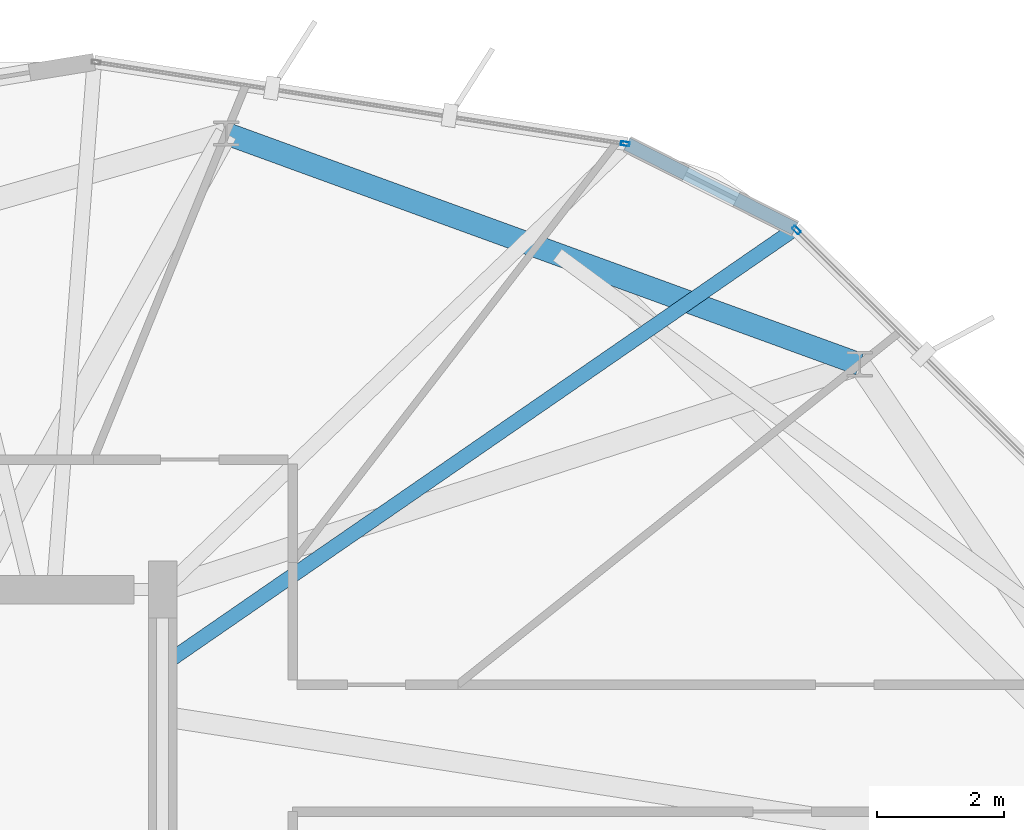
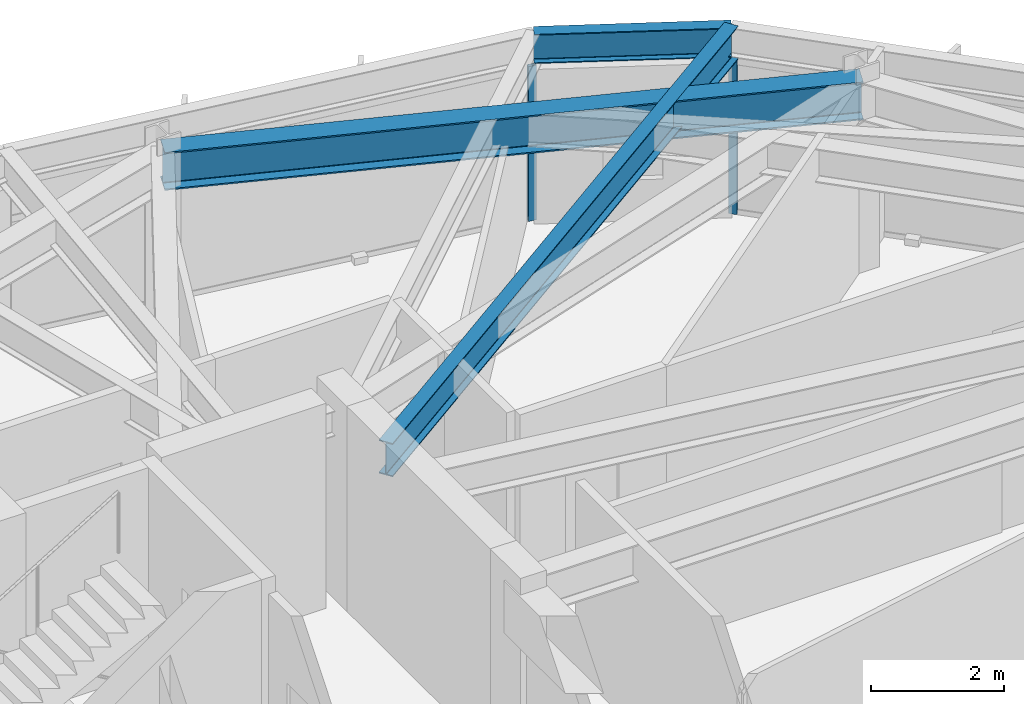
# One storey, part 15 of 22: 3 beams, 2 members, 2 elements without a shape of their own.
"""IFC4 building model written with IfcOpenShell, lengths in metres."""

from ifc_helpers import new_model, si_unit, direction, frame, origin, origin_2d, place, context, subcontext, project, spatial, hollow_rectangle, i_section, extrude, material, layer, layer_set, material_profile, profile_set, type_object, element, aggregate, save


model = new_model("IFC4")

# Units and contexts
model_context = context("Model", 3, precision=1e-05, world=origin(), true_north=direction((0.0, 1.0)))
body_context = subcontext(model_context, "Body", "Model", "MODEL_VIEW")
ifc_project = project(units=[si_unit("LENGTHUNIT", "METRE"), si_unit("AREAUNIT", "SQUARE_METRE"), si_unit("VOLUMEUNIT", "CUBIC_METRE"), si_unit("PLANEANGLEUNIT", "RADIAN"), si_unit("MASSUNIT", "GRAM", prefix="KILO")], contexts=[model_context])

# Site, building, storey
site_placement = place(None, origin())
site = spatial("IfcSite", under=ifc_project, at=site_placement, CompositionType="ELEMENT")
building_placement = place(site_placement, origin())
building = spatial("IfcBuilding", under=site, at=building_placement, Name="Soratama Intermodal Tower", CompositionType="ELEMENT")
storey_placement = place(building_placement, frame((0.0, 0.0, 265.0)))
storey = spatial("IfcBuildingStorey", under=building, at=storey_placement, Name="L67", CompositionType="ELEMENT", Elevation=265.0)

# Beams
ifc_material_1 = material(Name="Structural steel ASTM A992 Grade 50", Category="steel")
ifc_material_profile_1 = material_profile(ifc_material_1, i_section(OverallWidth=0.35498046875, OverallDepth=0.695068359375, WebThickness=0.015380859375, FlangeThickness=0.02490234375, FilletRadius=0.01611328125, at=origin_2d()), Name="W27X146")
ifc_profile_set_1 = profile_set([ifc_material_profile_1], Name="Structural steel ASTM A992 Grade 50")
beam_type_1 = type_object("IfcBeamType", Name="BM-RING-W27X146", PredefinedType="BEAM", material=ifc_profile_set_1)
beam_1_placement = place(storey_placement, frame((55.589111328125, 38.553955078125, 3.1025390625), z_axis=(-0.939684073866, 0.342043624883, 0.0), x_axis=(-0.342043624883, -0.939684073866, 0.0)))
element("IfcBeam", 1, at=beam_1_placement, inside=storey, type_object=beam_type_1, Name="BM-L67-RING-02", PredefinedType="BEAM", context=body_context, shape_type="SweptSolid", body=[
    extrude(i_section(OverallWidth=0.35498046875, OverallDepth=0.695068359375, WebThickness=0.015380859375, FlangeThickness=0.02490234375, FilletRadius=0.01611328125, at=origin_2d()), origin(), (0.0, 0.0, 1.0), 10.630126953125),
])
ifc_material_2 = material(Name="Structural steel ASTM A992 Grade 50", Category="steel")
ifc_material_profile_2 = material_profile(ifc_material_2, i_section(OverallWidth=0.2099609375, OverallDepth=0.537109375, WebThickness=0.010986328125, FlangeThickness=0.017333984375, FilletRadius=0.012939453125, at=origin_2d()), Name="W21X68")
ifc_profile_set_2 = profile_set([ifc_material_profile_2], Name="Structural steel ASTM A992 Grade 50")
beam_type_2 = type_object("IfcBeamType", Name="BM-SPN-W21X68", PredefinedType="SPANDREL", material=ifc_profile_set_2)
beam_2_placement = place(storey_placement, frame((54.572021484375, 40.68798828125, 3.181396484375), z_axis=(-0.892874737979, 0.450305121311, 0.0), x_axis=(-0.450305121311, -0.892874737979, 0.0)))
element("IfcBeam", 2, at=beam_2_placement, inside=storey, type_object=beam_type_2, Name="BS-L67-CRN10", PredefinedType="SPANDREL", context=body_context, shape_type="SweptSolid", body=[
    extrude(i_section(OverallWidth=0.2099609375, OverallDepth=0.537109375, WebThickness=0.010986328125, FlangeThickness=0.017333984375, FilletRadius=0.012939453125, at=origin_2d()), origin(), (0.0, 0.0, 1.0), 2.966796875),
])
ifc_material_3 = material(Name="Structural steel ASTM A992 Grade 50", Category="steel")
ifc_material_profile_3 = material_profile(ifc_material_3, i_section(OverallWidth=0.22900390625, OverallDepth=0.612060546875, WebThickness=0.011962890625, FlangeThickness=0.01953125, FilletRadius=0.012939453125, at=origin_2d()), Name="W24X84")
ifc_profile_set_3 = profile_set([ifc_material_profile_3], Name="Structural steel ASTM A992 Grade 50")
beam_type_3 = type_object("IfcBeamType", Name="BM-TIE-W24X84", PredefinedType="BEAM", material=ifc_profile_set_3)
beam_3_placement = place(storey_placement, frame((44.633056640625, 33.8291015625, 3.14404296875), z_axis=(0.823041366678, 0.567981433443, 0.0), x_axis=(-0.567981433443, 0.823041366678, 0.0)))
element("IfcBeam", 3, at=beam_3_placement, inside=storey, type_object=beam_type_3, Name="BM-L67-TIE1-10", PredefinedType="BEAM", context=body_context, shape_type="SweptSolid", body=[
    extrude(i_section(OverallWidth=0.22900390625, OverallDepth=0.612060546875, WebThickness=0.011962890625, FlangeThickness=0.01953125, FilletRadius=0.012939453125, at=origin_2d()), origin(), (0.0, 0.0, 1.0), 12.075927734375),
])

# Curtain wall, member
ifc_material_4 = material(Name="Double-glazed aluminium curtain wall", Category="aluminium")
ifc_layer = layer(ifc_material_4, 0.159912109375)
ifc_layer_set = layer_set([ifc_layer], Name="Double-glazed aluminium curtain wall")
curtain_wall_type = type_object("IfcCurtainWallType", Name="CW-SYS-5", PredefinedType="NOTDEFINED", material=ifc_layer_set)
curtain_wall_1_placement = place(storey_placement, origin())
curtain_wall_1 = element("IfcCurtainWall", 4, at=curtain_wall_1_placement, inside=storey, type_object=curtain_wall_type, Name="L67 Faceted Curtain Wall F01", PredefinedType="NOTDEFINED")
ifc_material_5 = material(Name="Anodised aluminium AA 6063-T6", Category="aluminium")
ifc_material_profile_4 = material_profile(ifc_material_5, hollow_rectangle(XDim=0.06494140625, YDim=0.139892578125, WallThickness=0.0048828125, InnerFilletRadius=0.0048828125, OuterFilletRadius=0.010009765625, at=origin_2d()), Name="CWM140X65X5")
ifc_profile_set_4 = profile_set([ifc_material_profile_4], Name="Anodised aluminium AA 6063-T6")
member_type = type_object("IfcMemberType", Name="MT-CWM-5", PredefinedType="MULLION", material=ifc_profile_set_4)
member_1_placement = place(storey_placement, frame((51.893798828125, 42.028564453125, 0.0), z_axis=(0.0, 0.0, 1.0), x_axis=(-0.152296762317, -0.988334809762, 0.0)))
member_1 = element("IfcMember", 5, at=member_1_placement, type_object=member_type, Name="CW-5 mullion 1", PredefinedType="MULLION", context=body_context, shape_type="SweptSolid", body=[
    extrude(hollow_rectangle(XDim=0.06494140625, YDim=0.139892578125, WallThickness=0.0048828125, InnerFilletRadius=0.0048828125, OuterFilletRadius=0.010009765625, at=origin_2d()), origin(), (0.0, 0.0, 1.0), 2.8291015625),
])
aggregate(curtain_wall_1, [member_1])

curtain_wall_2_placement = place(storey_placement, origin())
curtain_wall_2 = element("IfcCurtainWall", 6, at=curtain_wall_2_placement, inside=storey, type_object=curtain_wall_type, Name="L67 Faceted Curtain Wall F10", PredefinedType="NOTDEFINED")
member_2_placement = place(storey_placement, frame((54.593505859375, 40.667236328125, 0.0), z_axis=(0.0, 0.0, 1.0), x_axis=(-0.704135783486, -0.710065347989, 0.0)))
member_2 = element("IfcMember", 7, at=member_2_placement, type_object=member_type, Name="CW-5 mullion 2", PredefinedType="MULLION", context=body_context, shape_type="SweptSolid", body=[
    extrude(hollow_rectangle(XDim=0.06494140625, YDim=0.139892578125, WallThickness=0.0048828125, InnerFilletRadius=0.0048828125, OuterFilletRadius=0.010009765625, at=origin_2d()), origin(), (0.0, 0.0, 1.0), 2.8291015625),
])
aggregate(curtain_wall_2, [member_2])

save(model, "model.ifc")
